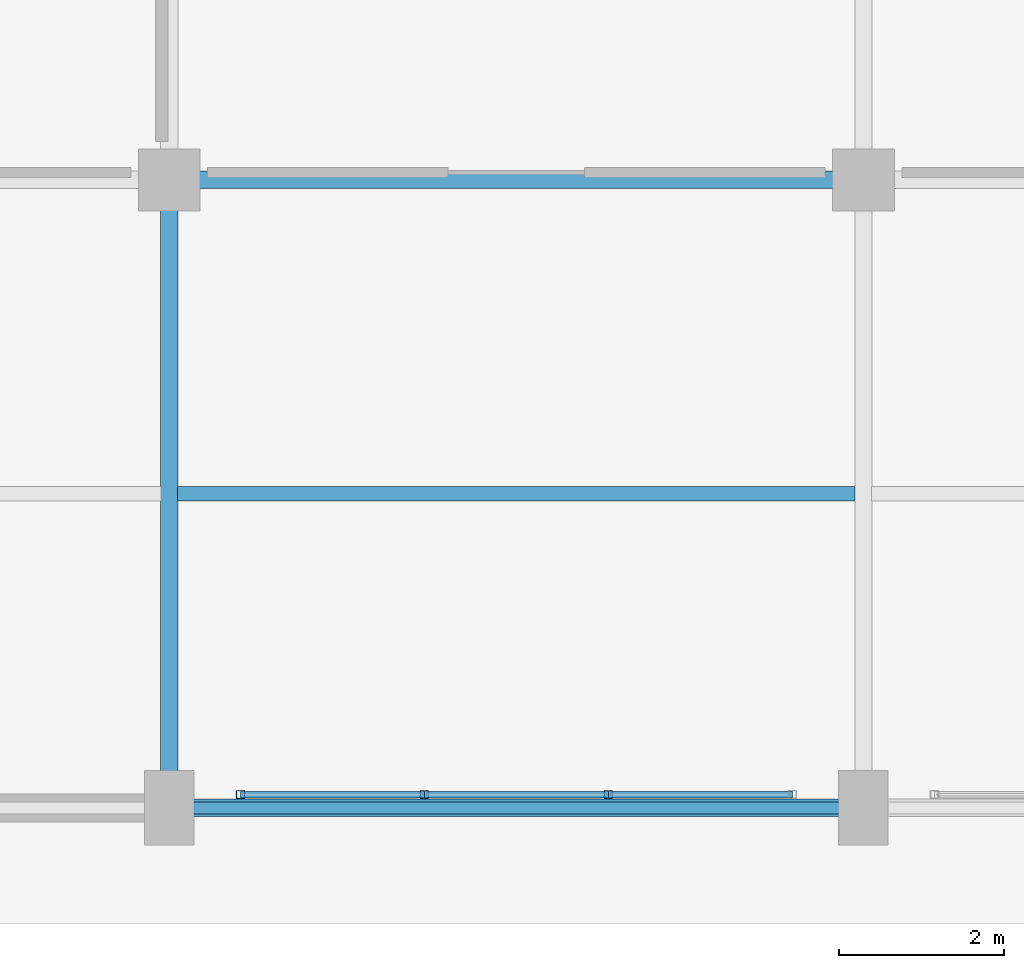
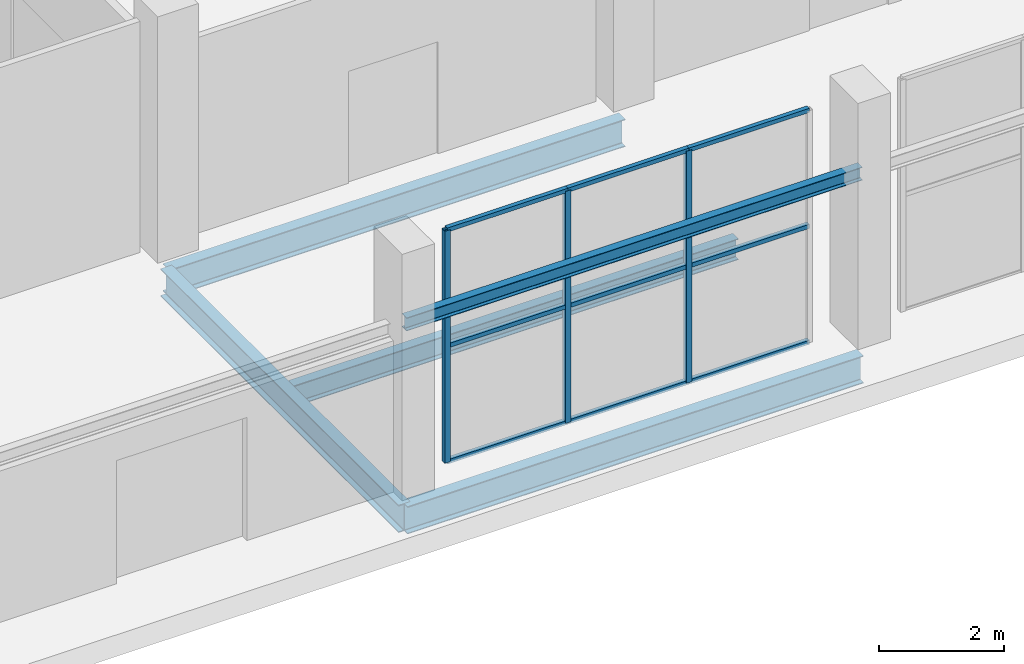
# One storey, part 3 of 36: 12 members, 5 beams, 1 element without a shape of its own.
"""IFC4 building model written with IfcOpenShell, lengths in metres."""

from ifc_helpers import new_model, si_unit, direction, frame, origin, origin_2d, place, context, subcontext, project, spatial, hollow_rectangle, i_section, extrude, material, material_profile, profile_set, type_object, element, aggregate, save


model = new_model("IFC4")

# Units and contexts
model_context = context("Model", 3, precision=1e-05, world=origin(), true_north=direction((0.0, 1.0)))
body_context = subcontext(model_context, "Body", "Model", "MODEL_VIEW")
ifc_project = project(units=[si_unit("LENGTHUNIT", "METRE"), si_unit("AREAUNIT", "SQUARE_METRE"), si_unit("VOLUMEUNIT", "CUBIC_METRE"), si_unit("PLANEANGLEUNIT", "RADIAN"), si_unit("MASSUNIT", "GRAM", prefix="KILO")], contexts=[model_context])

# Site, building, storey
site_placement = place(None, origin())
site = spatial("IfcSite", under=ifc_project, at=site_placement, CompositionType="ELEMENT")
building_placement = place(site_placement, origin())
building = spatial("IfcBuilding", under=site, at=building_placement, Name="Zuvorla Pavilion Media Centre", CompositionType="ELEMENT")
storey_placement = place(building_placement, origin())
storey = spatial("IfcBuildingStorey", under=building, at=storey_placement, Name="L00", CompositionType="ELEMENT", Elevation=0.0)

# Beams
ifc_material_1 = material(Name="Steel S355", Category="steel")
ifc_material_profile_1 = material_profile(ifc_material_1, i_section(OverallWidth=0.146484375, OverallDepth=0.256103515625, WebThickness=0.00634765625, FlangeThickness=0.010986328125, FilletRadius=0.007568359375, at=origin_2d()), Name="UB 254x146x37")
ifc_profile_set_1 = profile_set([ifc_material_profile_1], Name="Steel S355")
beam_type_1 = type_object("IfcBeamType", Name="BM-UB254", PredefinedType="LINTEL", material=ifc_profile_set_1)
beam_1_placement = place(storey_placement, frame((33.199951171875, 6.0, 3.10009765625), z_axis=(1.0, 0.0, 0.0), x_axis=(0.0, 1.0, 0.0)))
element("IfcBeam", 1, at=beam_1_placement, inside=storey, type_object=beam_type_1, Name="L00 lintel LN01 1754", PredefinedType="LINTEL", context=body_context, shape_type="SweptSolid", body=[
    extrude(i_section(OverallWidth=0.146484375, OverallDepth=0.256103515625, WebThickness=0.00634765625, FlangeThickness=0.010986328125, FilletRadius=0.007568359375, at=origin_2d()), origin(), (0.0, 0.0, 1.0), 8.400146484375),
])
ifc_material_profile_2 = material_profile(ifc_material_1, i_section(OverallWidth=0.1787109375, OverallDepth=0.409423828125, WebThickness=0.0087890625, FlangeThickness=0.014404296875, FilletRadius=0.01025390625, at=origin_2d()), Name="UB 406x178x67")
ifc_profile_set_2 = profile_set([ifc_material_profile_2], Name="Steel S355")
beam_type_2 = type_object("IfcBeamType", Name="BM-UB406", PredefinedType="JOIST", material=ifc_profile_set_2)
beam_2_placement = place(storey_placement, frame((33.300048828125, 9.800048828125, -0.6328125), z_axis=(1.0, 0.0, 0.0), x_axis=(0.0, 1.0, 0.0)))
element("IfcBeam", 2, at=beam_2_placement, inside=storey, type_object=beam_type_2, Name="L00 joist J02 335", PredefinedType="JOIST", context=body_context, shape_type="SweptSolid", body=[
    extrude(i_section(OverallWidth=0.1787109375, OverallDepth=0.409423828125, WebThickness=0.0087890625, FlangeThickness=0.014404296875, FilletRadius=0.01025390625, at=origin_2d()), origin(), (0.0, 0.0, 1.0), 8.199951171875),
])
ifc_material_profile_3 = material_profile(ifc_material_1, i_section(OverallWidth=0.2099609375, OverallDepth=0.53662109375, WebThickness=0.0107421875, FlangeThickness=0.017333984375, FilletRadius=0.0126953125, at=origin_2d()), Name="UB 533x210x101")
ifc_profile_set_3 = profile_set([ifc_material_profile_3], Name="Steel S355")
beam_type_3 = type_object("IfcBeamType", Name="BM-UB533", PredefinedType="BEAM", material=ifc_profile_set_3)
for number, where, z_axis, x_axis, name in (
    (3, (33.199951171875, 6.0, -0.6962890625), (1.0, 0.0, 0.0), (0.0, 1.0, 0.0), "L00 beam B08 4"),
    (4, (33.199951171875, 13.60009765625, -0.6962890625), (1.0, 0.0, 0.0), (0.0, 1.0, 0.0), "L00 beam B08 21"),
):
    element("IfcBeam", number, at=place(storey_placement, frame(where, z_axis=z_axis, x_axis=x_axis)), inside=storey, type_object=beam_type_3, Name=name, PredefinedType="BEAM", context=body_context, shape_type="SweptSolid", body=[
        extrude(i_section(OverallWidth=0.2099609375, OverallDepth=0.53662109375, WebThickness=0.0107421875, FlangeThickness=0.017333984375, FilletRadius=0.0126953125, at=origin_2d()), origin(), (0.0, 0.0, 1.0), 8.400146484375),
    ])
beam_3_placement = place(storey_placement, frame((33.199951171875, 6.0, -0.6962890625), z_axis=(0.0, 1.0, 0.0), x_axis=(-1.0, 0.0, 0.0)))
element("IfcBeam", 5, at=beam_3_placement, inside=storey, type_object=beam_type_3, Name="L00 beam B08 183", PredefinedType="BEAM", context=body_context, shape_type="SweptSolid", body=[
    extrude(i_section(OverallWidth=0.2099609375, OverallDepth=0.53662109375, WebThickness=0.0107421875, FlangeThickness=0.017333984375, FilletRadius=0.0126953125, at=origin_2d()), origin(), (0.0, 0.0, 1.0), 7.60009765625),
])

# Curtain wall, members
ifc_material_2 = material(Name="Unitised anodised aluminium and solar glass curtain wall", Category="aluminium")
curtain_wall_type = type_object("IfcCurtainWallType", Name="CW-SYS-85", PredefinedType="USERDEFINED", material=ifc_material_2)
curtain_wall_placement = place(storey_placement, origin())
curtain_wall = element("IfcCurtainWall", 6, at=curtain_wall_placement, inside=storey, type_object=curtain_wall_type, Name="L00 curtain wall CW85 194", ObjectType="CURTAIN WALL", PredefinedType="USERDEFINED")
ifc_material_3 = material(Name="Anodised aluminium 6063-T6", Category="aluminium")
ifc_material_profile_4 = material_profile(ifc_material_3, hollow_rectangle(XDim=0.10009765625, YDim=0.10009765625, WallThickness=0.00439453125, at=origin_2d()), Name="ALU MULL 100x100")
ifc_profile_set_4 = profile_set([ifc_material_profile_4], Name="Anodised aluminium 6063-T6")
member_type_1 = type_object("IfcMemberType", Name="CW-MULL-100", PredefinedType="MULLION", material=ifc_profile_set_4)
member_1_placement = place(storey_placement, frame((34.060791015625, 6.159912109375, 0.0), z_axis=(0.0, 0.0, 1.0), x_axis=(1.0, 0.0, 0.0)))
member_1 = element("IfcMember", 7, at=member_1_placement, type_object=member_type_1, Name="CW85 mullion 1", PredefinedType="MULLION", context=body_context, shape_type="SweptSolid", body=[
    extrude(hollow_rectangle(XDim=0.10009765625, YDim=0.10009765625, WallThickness=0.00439453125, at=origin_2d()), origin(), (0.0, 0.0, 1.0), 4.52001953125),
])
member_2_placement = place(storey_placement, frame((36.286865234375, 6.159912109375, 0.0), z_axis=(0.0, 0.0, 1.0), x_axis=(1.0, 0.0, 0.0)))
member_2 = element("IfcMember", 8, at=member_2_placement, type_object=member_type_1, Name="CW85 mullion 2", PredefinedType="MULLION", context=body_context, shape_type="SweptSolid", body=[
    extrude(hollow_rectangle(XDim=0.10009765625, YDim=0.10009765625, WallThickness=0.00439453125, at=origin_2d()), origin(), (0.0, 0.0, 1.0), 4.52001953125),
])
member_3_placement = place(storey_placement, frame((38.51318359375, 6.159912109375, 0.0), z_axis=(0.0, 0.0, 1.0), x_axis=(1.0, 0.0, 0.0)))
member_3 = element("IfcMember", 9, at=member_3_placement, type_object=member_type_1, Name="CW85 mullion 3", PredefinedType="MULLION", context=body_context, shape_type="SweptSolid", body=[
    extrude(hollow_rectangle(XDim=0.10009765625, YDim=0.10009765625, WallThickness=0.00439453125, at=origin_2d()), origin(), (0.0, 0.0, 1.0), 4.52001953125),
])
ifc_material_profile_5 = material_profile(ifc_material_3, hollow_rectangle(XDim=0.080078125, YDim=0.080078125, WallThickness=0.00390625, at=origin_2d()), Name="ALU TRAN 80x80")
ifc_profile_set_5 = profile_set([ifc_material_profile_5], Name="Anodised aluminium 6063-T6")
member_type_2 = type_object("IfcMemberType", Name="CW-TRAN-80", PredefinedType="USERDEFINED", material=ifc_profile_set_5)
member_4_placement = place(storey_placement, frame((34.060791015625, 6.159912109375, 0.0), z_axis=(1.0, 0.0, 0.0), x_axis=(0.0, 1.0, 0.0)))
member_4 = element("IfcMember", 10, at=member_4_placement, type_object=member_type_2, Name="CW85 transom 1.1", ObjectType="TRANSOM", PredefinedType="USERDEFINED", context=body_context, shape_type="SweptSolid", body=[
    extrude(hollow_rectangle(XDim=0.080078125, YDim=0.080078125, WallThickness=0.00390625, at=origin_2d()), origin(), (0.0, 0.0, 1.0), 2.22607421875),
])
member_5_placement = place(storey_placement, frame((34.060791015625, 6.159912109375, 2.260009765625), z_axis=(1.0, 0.0, 0.0), x_axis=(0.0, 1.0, 0.0)))
member_5 = element("IfcMember", 11, at=member_5_placement, type_object=member_type_2, Name="CW85 transom 1.2", ObjectType="TRANSOM", PredefinedType="USERDEFINED", context=body_context, shape_type="SweptSolid", body=[
    extrude(hollow_rectangle(XDim=0.080078125, YDim=0.080078125, WallThickness=0.00390625, at=origin_2d()), origin(), (0.0, 0.0, 1.0), 2.22607421875),
])
member_6_placement = place(storey_placement, frame((34.060791015625, 6.159912109375, 4.52001953125), z_axis=(1.0, 0.0, 0.0), x_axis=(0.0, 1.0, 0.0)))
member_6 = element("IfcMember", 12, at=member_6_placement, type_object=member_type_2, Name="CW85 transom 1.3", ObjectType="TRANSOM", PredefinedType="USERDEFINED", context=body_context, shape_type="SweptSolid", body=[
    extrude(hollow_rectangle(XDim=0.080078125, YDim=0.080078125, WallThickness=0.00390625, at=origin_2d()), origin(), (0.0, 0.0, 1.0), 2.22607421875),
])
member_7_placement = place(storey_placement, frame((36.286865234375, 6.159912109375, 0.0), z_axis=(1.0, 0.0, 0.0), x_axis=(0.0, 1.0, 0.0)))
member_7 = element("IfcMember", 13, at=member_7_placement, type_object=member_type_2, Name="CW85 transom 2.1", ObjectType="TRANSOM", PredefinedType="USERDEFINED", context=body_context, shape_type="SweptSolid", body=[
    extrude(hollow_rectangle(XDim=0.080078125, YDim=0.080078125, WallThickness=0.00390625, at=origin_2d()), origin(), (0.0, 0.0, 1.0), 2.226318359375),
])
member_8_placement = place(storey_placement, frame((36.286865234375, 6.159912109375, 2.260009765625), z_axis=(1.0, 0.0, 0.0), x_axis=(0.0, 1.0, 0.0)))
member_8 = element("IfcMember", 14, at=member_8_placement, type_object=member_type_2, Name="CW85 transom 2.2", ObjectType="TRANSOM", PredefinedType="USERDEFINED", context=body_context, shape_type="SweptSolid", body=[
    extrude(hollow_rectangle(XDim=0.080078125, YDim=0.080078125, WallThickness=0.00390625, at=origin_2d()), origin(), (0.0, 0.0, 1.0), 2.226318359375),
])
member_9_placement = place(storey_placement, frame((36.286865234375, 6.159912109375, 4.52001953125), z_axis=(1.0, 0.0, 0.0), x_axis=(0.0, 1.0, 0.0)))
member_9 = element("IfcMember", 15, at=member_9_placement, type_object=member_type_2, Name="CW85 transom 2.3", ObjectType="TRANSOM", PredefinedType="USERDEFINED", context=body_context, shape_type="SweptSolid", body=[
    extrude(hollow_rectangle(XDim=0.080078125, YDim=0.080078125, WallThickness=0.00390625, at=origin_2d()), origin(), (0.0, 0.0, 1.0), 2.226318359375),
])
member_10_placement = place(storey_placement, frame((38.51318359375, 6.159912109375, 0.0), z_axis=(1.0, 0.0, 0.0), x_axis=(0.0, 1.0, 0.0)))
member_10 = element("IfcMember", 16, at=member_10_placement, type_object=member_type_2, Name="CW85 transom 3.1", ObjectType="TRANSOM", PredefinedType="USERDEFINED", context=body_context, shape_type="SweptSolid", body=[
    extrude(hollow_rectangle(XDim=0.080078125, YDim=0.080078125, WallThickness=0.00390625, at=origin_2d()), origin(), (0.0, 0.0, 1.0), 2.22607421875),
])
member_11_placement = place(storey_placement, frame((38.51318359375, 6.159912109375, 2.260009765625), z_axis=(1.0, 0.0, 0.0), x_axis=(0.0, 1.0, 0.0)))
member_11 = element("IfcMember", 17, at=member_11_placement, type_object=member_type_2, Name="CW85 transom 3.2", ObjectType="TRANSOM", PredefinedType="USERDEFINED", context=body_context, shape_type="SweptSolid", body=[
    extrude(hollow_rectangle(XDim=0.080078125, YDim=0.080078125, WallThickness=0.00390625, at=origin_2d()), origin(), (0.0, 0.0, 1.0), 2.22607421875),
])
member_12_placement = place(storey_placement, frame((38.51318359375, 6.159912109375, 4.52001953125), z_axis=(1.0, 0.0, 0.0), x_axis=(0.0, 1.0, 0.0)))
member_12 = element("IfcMember", 18, at=member_12_placement, type_object=member_type_2, Name="CW85 transom 3.3", ObjectType="TRANSOM", PredefinedType="USERDEFINED", context=body_context, shape_type="SweptSolid", body=[
    extrude(hollow_rectangle(XDim=0.080078125, YDim=0.080078125, WallThickness=0.00390625, at=origin_2d()), origin(), (0.0, 0.0, 1.0), 2.22607421875),
])
aggregate(curtain_wall, [member_1, member_2, member_3, member_4, member_5, member_6, member_7, member_8, member_9, member_10, member_11, member_12])

save(model, "model.ifc")
